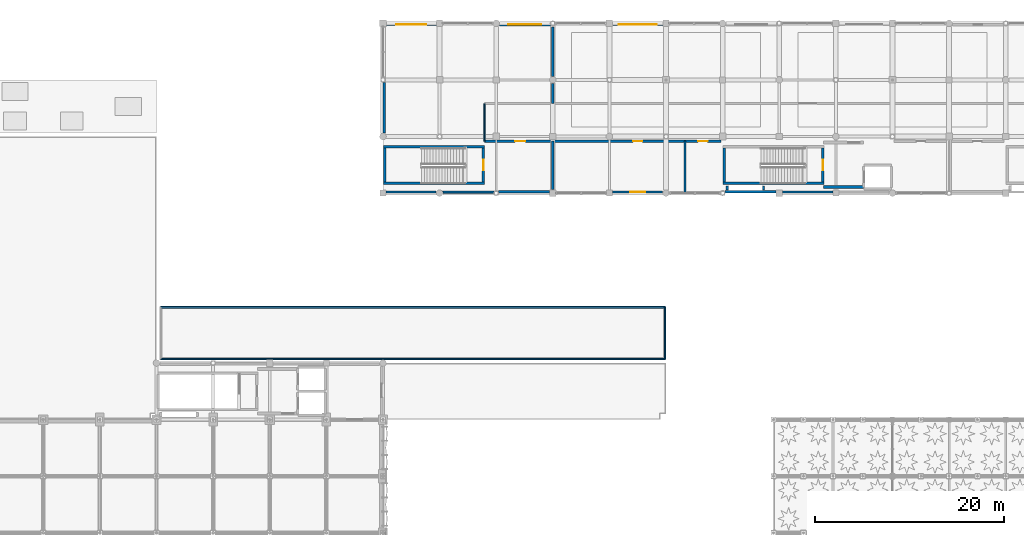
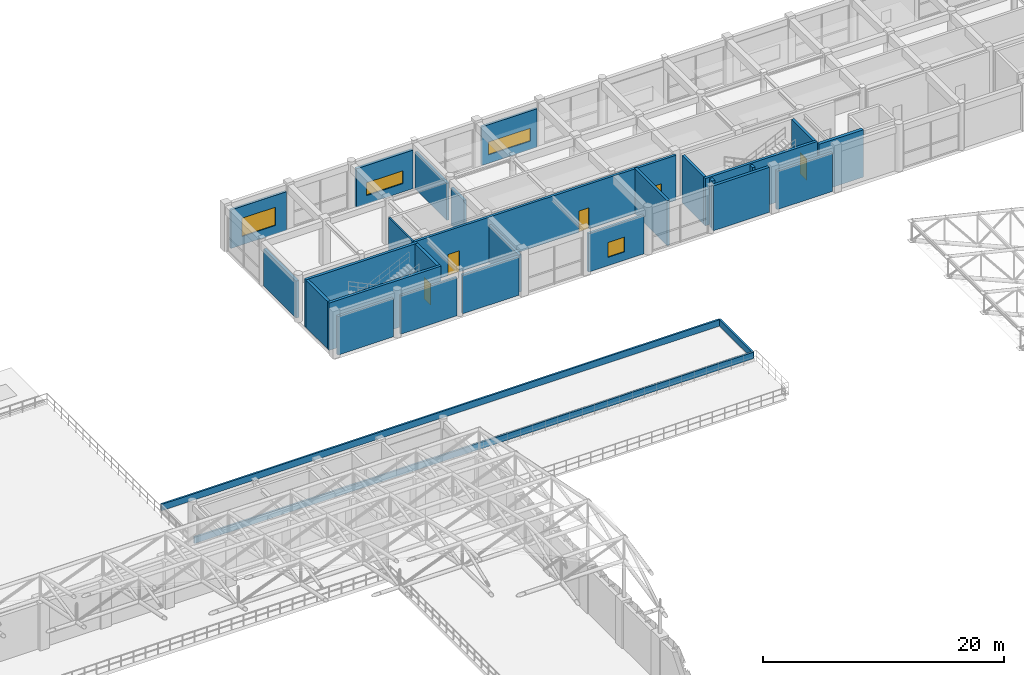
# One storey, part 94 of 112: 29 walls, 5 doors, 4 windows, 9 openings.
"""IFC4 building model written with IfcOpenShell, lengths in metres."""

from ifc_helpers import new_model, si_unit, direction, frame, frame_2d, origin, place, context, subcontext, project, spatial, rectangle, extrude, material, layer, layer_set, type_object, element, fill, save


model = new_model("IFC4")

# Units and contexts
model_context = context("Model", 3, precision=1e-05, world=origin(), true_north=direction((0.0, 1.0)))
body_context = subcontext(model_context, "Body", "Model", "MODEL_VIEW")
ifc_project = project(units=[si_unit("LENGTHUNIT", "METRE"), si_unit("AREAUNIT", "SQUARE_METRE"), si_unit("VOLUMEUNIT", "CUBIC_METRE"), si_unit("PLANEANGLEUNIT", "RADIAN"), si_unit("MASSUNIT", "GRAM", prefix="KILO"), si_unit("THERMODYNAMICTEMPERATUREUNIT", "KELVIN"), si_unit("POWERUNIT", "WATT")], contexts=[model_context])

# Site, building, storey
site_placement = place(None, origin())
site = spatial("IfcSite", under=ifc_project, at=site_placement, CompositionType="ELEMENT")
building_placement = place(site_placement, origin())
building = spatial("IfcBuilding", under=site, at=building_placement, Name="Phaisarnlok Congress Hotel", CompositionType="ELEMENT")
storey_placement = place(building_placement, frame((0.0, 0.0, 19.800048828125)))
storey = spatial("IfcBuildingStorey", under=building, at=storey_placement, Name="L04", CompositionType="ELEMENT", Elevation=19.800048828125)

# Walls
ifc_material_1 = material(Name="Concrete C40/50", Category="concrete")
ifc_layer_1 = layer(ifc_material_1, 0.2099609375, Name="Concrete C40/50")
ifc_layer_set_1 = layer_set([ifc_layer_1], Name="Concrete C40/50")
wall_type_1 = type_object("IfcWallType", Name="WL-EXT-210", PredefinedType="SOLIDWALL", material=ifc_layer_set_1)
wall_1_placement = place(storey_placement, frame((72.35498046875, 108.10498046875, 0.0), z_axis=(0.0, 0.0, 1.0), x_axis=(1.0, 0.0, 0.0)))
element("IfcWall", 1, at=wall_1_placement, inside=storey, type_object=wall_type_1, Name="Exterior wall EW-07 (L04)", PredefinedType="SOLIDWALL", context=body_context, shape_type="SweptSolid", body=[
    extrude(rectangle(XDim=5.385986328125, YDim=0.2099609375, at=frame_2d((2.69287109375, 0.0))), origin(), (0.0, 0.0, 1.0), 3.89990234375),
])
ifc_layer_2 = layer(ifc_material_1, 0.22998046875, Name="Concrete C40/50")
ifc_layer_set_2 = layer_set([ifc_layer_2], Name="Concrete C40/50")
wall_type_2 = type_object("IfcWallType", Name="WL-EXT-230", PredefinedType="SOLIDWALL", material=ifc_layer_set_2)
wall_2_placement = place(storey_placement, frame((66.330078125, 108.114990234375, 0.0), z_axis=(0.0, 0.0, 1.0), x_axis=(1.0, 0.0, 0.0)))
element("IfcWall", 2, at=wall_2_placement, inside=storey, type_object=wall_type_2, Name="Exterior wall EW-06 (L04)", PredefinedType="SOLIDWALL", context=body_context, shape_type="SweptSolid", body=[
    extrude(rectangle(XDim=5.31494140625, YDim=0.22998046875, at=frame_2d((2.657470703125, 0.0))), origin(), (0.0, 0.0, 1.0), 3.89990234375),
])

# Wall, opening, window
wall_3_placement = place(storey_placement, frame((90.330078125, 108.114990234375, 0.0), z_axis=(0.0, 0.0, 1.0), x_axis=(1.0, 0.0, 0.0)))
wall_3 = element("IfcWall", 3, at=wall_3_placement, inside=storey, type_object=wall_type_2, Name="Exterior wall EW-06 (L04)", PredefinedType="SOLIDWALL", context=body_context, shape_type="SweptSolid", body=[
    extrude(rectangle(XDim=5.31494140625, YDim=0.22998046875, at=frame_2d((2.657470703125, 0.0))), origin(), (0.0, 0.0, 1.0), 3.89990234375),
])
opening_1_placement = place(wall_3_placement, frame((1.85693359375, 0.0, 0.85009765625)))
opening_1 = element("IfcOpeningElement", 4, at=opening_1_placement, cuts=wall_3, Name="Opening W-11", PredefinedType="OPENING", context=body_context, shape_type="SweptSolid", body=[
    extrude(rectangle(XDim=1.60009765625, YDim=1.5, at=frame_2d((0.800048828125, 0.75))), frame((0.0, 0.125, 0.0), z_axis=(0.0, -1.0, 0.0), x_axis=(1.0, 0.0, 0.0)), (0.0, 0.0, 1.0), 0.25),
])
ifc_material_2 = material(Name="Thermally Broken Aluminium & Low-E Double Glazing", Category="aluminium")
window_type_1 = type_object("IfcWindowType", Name="WIN-POD-1600", PartitioningType="SINGLE_PANEL", PredefinedType="WINDOW", material=ifc_material_2)
window_1_placement = place(opening_1_placement, origin())
window_1 = element("IfcWindow", 5, at=window_1_placement, inside=storey, type_object=window_type_1, Name="Podium window W-11 (L04)", OverallHeight=1.5, OverallWidth=1.60009765625, PartitioningType="SINGLE_PANEL", PredefinedType="WINDOW", context=body_context, shape_type="SweptSolid", body=[
    extrude(rectangle(XDim=1.60009765625, YDim=1.5, at=frame_2d((0.800048828125, 0.75))), frame((0.0, 0.030029296875, 0.0), z_axis=(0.0, -1.0, 0.0), x_axis=(1.0, 0.0, 0.0)), (0.0, 0.0, 1.0), 0.06005859375),
])
fill(opening_1, window_1)

wall_4_placement = place(storey_placement, frame((95.669921875, 125.885009765625, 0.0), z_axis=(0.0, 0.0, 1.0), x_axis=(-1.0, 0.0, 0.0)))
wall_4 = element("IfcWall", 6, at=wall_4_placement, inside=storey, type_object=wall_type_2, Name="Exterior wall EW-06 (L04)", PredefinedType="SOLIDWALL", context=body_context, shape_type="SweptSolid", body=[
    extrude(rectangle(XDim=5.31494140625, YDim=0.22998046875, at=frame_2d((2.657470703125, 0.0))), origin(), (0.0, 0.0, 1.0), 3.89990234375),
])
opening_2_placement = place(wall_4_placement, frame((0.656982421875, 0.0, 0.85009765625)))
opening_2 = element("IfcOpeningElement", 7, at=opening_2_placement, cuts=wall_4, Name="Opening W-19", PredefinedType="OPENING", context=body_context, shape_type="SweptSolid", body=[
    extrude(rectangle(XDim=4.0, YDim=1.300048828125, at=frame_2d((2.0, 0.64990234375))), frame((0.0, 0.125, 0.0), z_axis=(0.0, -1.0, 0.0), x_axis=(1.0, 0.0, 0.0)), (0.0, 0.0, 1.0), 0.25),
])
window_type_2 = type_object("IfcWindowType", Name="WIN-CLER-4000", PartitioningType="SINGLE_PANEL", PredefinedType="WINDOW", material=ifc_material_2)
window_2_placement = place(opening_2_placement, origin())
window_2 = element("IfcWindow", 8, at=window_2_placement, inside=storey, type_object=window_type_2, Name="Podium window W-19 (L04)", OverallHeight=1.300048828125, OverallWidth=4.0, PartitioningType="SINGLE_PANEL", PredefinedType="WINDOW", context=body_context, shape_type="SweptSolid", body=[
    extrude(rectangle(XDim=4.0, YDim=1.300048828125, at=frame_2d((2.0, 0.64990234375))), frame((0.0, 0.030029296875, 0.0), z_axis=(0.0, -1.0, 0.0), x_axis=(1.0, 0.0, 0.0)), (0.0, 0.0, 1.0), 0.06005859375),
])
fill(opening_2, window_2)

wall_5_placement = place(storey_placement, frame((71.669921875, 125.885009765625, 0.0), z_axis=(0.0, 0.0, 1.0), x_axis=(-1.0, 0.0, 0.0)))
wall_5 = element("IfcWall", 9, at=wall_5_placement, inside=storey, type_object=wall_type_2, Name="Exterior wall EW-06 (L04)", PredefinedType="SOLIDWALL", context=body_context, shape_type="SweptSolid", body=[
    extrude(rectangle(XDim=5.31494140625, YDim=0.22998046875, at=frame_2d((2.657470703125, 0.0))), origin(), (0.0, 0.0, 1.0), 3.89990234375),
])
opening_3_placement = place(wall_5_placement, frame((1.056884765625, 0.0, 0.85009765625)))
opening_3 = element("IfcOpeningElement", 10, at=opening_3_placement, cuts=wall_5, Name="Opening W-04", PredefinedType="OPENING", context=body_context, shape_type="SweptSolid", body=[
    extrude(rectangle(XDim=3.199951171875, YDim=1.85009765625, at=frame_2d((1.60009765625, 0.925048828125))), frame((0.0, 0.125, 0.0), z_axis=(0.0, -1.0, 0.0), x_axis=(1.0, 0.0, 0.0)), (0.0, 0.0, 1.0), 0.25),
])
window_type_3 = type_object("IfcWindowType", Name="WIN-SUITE-3200", PartitioningType="SINGLE_PANEL", PredefinedType="WINDOW", material=ifc_material_2)
window_3_placement = place(opening_3_placement, origin())
window_3 = element("IfcWindow", 11, at=window_3_placement, inside=storey, type_object=window_type_3, Name="Podium window W-04 (L04)", OverallHeight=1.85009765625, OverallWidth=3.199951171875, PartitioningType="SINGLE_PANEL", PredefinedType="WINDOW", context=body_context, shape_type="SweptSolid", body=[
    extrude(rectangle(XDim=3.199951171875, YDim=1.85009765625, at=frame_2d((1.60009765625, 0.925048828125))), frame((0.0, 0.030029296875, 0.0), z_axis=(0.0, -1.0, 0.0), x_axis=(1.0, 0.0, 0.0)), (0.0, 0.0, 1.0), 0.06005859375),
])
fill(opening_3, window_3)

# Walls
ifc_layer_3 = layer(ifc_material_1, 0.25, Name="Concrete C40/50")
ifc_layer_set_3 = layer_set([ifc_layer_3], Name="Concrete C40/50")
wall_type_3 = type_object("IfcWallType", Name="WL-EXT-250", PredefinedType="SOLIDWALL", material=ifc_layer_set_3)
wall_6_placement = place(storey_placement, frame((108.35498046875, 108.125, 0.0), z_axis=(0.0, 0.0, 1.0), x_axis=(1.0, 0.0, 0.0)))
element("IfcWall", 12, at=wall_6_placement, inside=storey, type_object=wall_type_3, Name="Exterior wall EW-05 (L04)", PredefinedType="SOLIDWALL", context=body_context, shape_type="SweptSolid", body=[
    extrude(rectangle(XDim=5.31494140625, YDim=0.25, at=frame_2d((2.657470703125, 0.0))), origin(), (0.0, 0.0, 1.0), 3.89990234375),
])
ifc_layer_4 = layer(ifc_material_1, 0.27001953125, Name="Concrete C40/50")
ifc_layer_set_4 = layer_set([ifc_layer_4], Name="Concrete C40/50")
wall_type_4 = type_object("IfcWallType", Name="WL-EXT-270", PredefinedType="SOLIDWALL", material=ifc_layer_set_4)
wall_7_placement = place(storey_placement, frame((78.259033203125, 108.135009765625, 0.0), z_axis=(0.0, 0.0, 1.0), x_axis=(1.0, 0.0, 0.0)))
element("IfcWall", 13, at=wall_7_placement, inside=storey, type_object=wall_type_4, Name="Exterior wall EW-04 (L04)", PredefinedType="SOLIDWALL", context=body_context, shape_type="SweptSolid", body=[
    extrude(rectangle(XDim=5.385986328125, YDim=0.27001953125, at=frame_2d((2.69287109375, 0.0))), origin(), (0.0, 0.0, 1.0), 3.89990234375),
])
wall_8_placement = place(storey_placement, frame((102.259033203125, 108.135009765625, 0.0), z_axis=(0.0, 0.0, 1.0), x_axis=(1.0, 0.0, 0.0)))
element("IfcWall", 14, at=wall_8_placement, inside=storey, type_object=wall_type_4, Name="Exterior wall EW-04 (L04)", PredefinedType="SOLIDWALL", context=body_context, shape_type="SweptSolid", body=[
    extrude(rectangle(XDim=5.385986328125, YDim=0.27001953125, at=frame_2d((2.69287109375, 0.0))), origin(), (0.0, 0.0, 1.0), 4.550048828125),
])

# Wall, opening, window
wall_9_placement = place(storey_placement, frame((83.740966796875, 125.864990234375, 0.0), z_axis=(0.0, 0.0, 1.0), x_axis=(-1.0, 0.0, 0.0)))
wall_9 = element("IfcWall", 15, at=wall_9_placement, inside=storey, type_object=wall_type_4, Name="Exterior wall EW-04 (L04)", PredefinedType="SOLIDWALL", context=body_context, shape_type="SweptSolid", body=[
    extrude(rectangle(XDim=5.385986328125, YDim=0.27001953125, at=frame_2d((2.69287109375, 0.0))), origin(), (0.0, 0.0, 1.0), 3.89990234375),
])
opening_4_placement = place(wall_9_placement, frame((0.943115234375, 0.0, 0.85009765625)))
opening_4 = element("IfcOpeningElement", 16, at=opening_4_placement, cuts=wall_9, Name="Opening W-20", PredefinedType="OPENING", context=body_context, shape_type="SweptSolid", body=[
    extrude(rectangle(XDim=3.5, YDim=1.300048828125, at=frame_2d((1.75, 0.64990234375))), frame((0.0, 0.14501953125, 0.0), z_axis=(0.0, -1.0, 0.0), x_axis=(1.0, 0.0, 0.0)), (0.0, 0.0, 1.0), 0.2900390625),
])
window_type_4 = type_object("IfcWindowType", Name="WIN-CLER-3500", PartitioningType="SINGLE_PANEL", PredefinedType="WINDOW", material=ifc_material_2)
window_4_placement = place(opening_4_placement, origin())
window_4 = element("IfcWindow", 17, at=window_4_placement, inside=storey, type_object=window_type_4, Name="Podium window W-20 (L04)", OverallHeight=1.300048828125, OverallWidth=3.5, PartitioningType="SINGLE_PANEL", PredefinedType="WINDOW", context=body_context, shape_type="SweptSolid", body=[
    extrude(rectangle(XDim=3.5, YDim=1.300048828125, at=frame_2d((1.75, 0.64990234375))), frame((0.0, 0.030029296875, 0.0), z_axis=(0.0, -1.0, 0.0), x_axis=(1.0, 0.0, 0.0)), (0.0, 0.0, 1.0), 0.06005859375),
])
fill(opening_4, window_4)

# Walls
wall_10_placement = place(storey_placement, frame((66.135009765625, 119.740966796875, 0.0), z_axis=(0.0, 0.0, 1.0), x_axis=(0.0, -1.0, 0.0)))
element("IfcWall", 18, at=wall_10_placement, inside=storey, type_object=wall_type_4, Name="Exterior wall EW-04 (L04)", PredefinedType="SOLIDWALL", context=body_context, shape_type="SweptSolid", body=[
    extrude(rectangle(XDim=5.385986328125, YDim=0.27001953125, at=frame_2d((2.69287109375, 0.0))), origin(), (0.0, 0.0, 1.0), 3.75),
])
ifc_material_3 = material(Name="Moisture-Resistant Gypsum Partition", Category="gypsum")
ifc_layer_5 = layer(ifc_material_3, 0.135009765625, Name="Moisture-Resistant Gypsum Partition")
ifc_layer_set_5 = layer_set([ifc_layer_5], Name="Moisture-Resistant Gypsum Partition")
wall_type_5 = type_object("IfcWallType", Name="WL-INT-135", PredefinedType="PARTITIONING", material=ifc_layer_set_5)
wall_11_placement = place(storey_placement, frame((76.75, 113.5, 0.0), z_axis=(0.0, 0.0, 1.0), x_axis=(0.0, 1.0, 0.0)))
element("IfcWall", 19, at=wall_11_placement, inside=storey, type_object=wall_type_5, Name="Interior partition wall IW-06 (L04)", PredefinedType="PARTITIONING", context=body_context, shape_type="SweptSolid", body=[
    extrude(rectangle(XDim=4.0, YDim=0.135009765625, at=frame_2d((2.0, 0.0))), origin(), (0.0, 0.0, 1.0), 4.550048828125),
])
ifc_layer_6 = layer(ifc_material_1, 0.239990234375, Name="Concrete C40/50")
ifc_layer_set_6 = layer_set([ifc_layer_6], Name="Concrete C40/50")
wall_type_6 = type_object("IfcWallType", Name="WL-INT-240", PredefinedType="PARTITIONING", material=ifc_layer_set_6)
wall_12_placement = place(storey_placement, frame((84.0, 108.3701171875, 0.0), z_axis=(0.0, 0.0, 1.0), x_axis=(0.0, 1.0, 0.0)))
element("IfcWall", 20, at=wall_12_placement, inside=storey, type_object=wall_type_6, Name="Interior partition wall IW-01 (L04)", PredefinedType="PARTITIONING", context=body_context, shape_type="SweptSolid", body=[
    extrude(rectangle(XDim=5.1298828125, YDim=0.239990234375, at=frame_2d((2.56494140625, 0.0))), origin(), (0.0, 0.0, 1.0), 3.75),
])
wall_13_placement = place(storey_placement, frame((84.0, 117.5, 0.0), z_axis=(0.0, 0.0, 1.0), x_axis=(0.0, 1.0, 0.0)))
element("IfcWall", 21, at=wall_13_placement, inside=storey, type_object=wall_type_6, Name="Interior partition wall IW-01 (L04)", PredefinedType="PARTITIONING", context=body_context, shape_type="SweptSolid", body=[
    extrude(rectangle(XDim=2.14501953125, YDim=0.239990234375, at=frame_2d((1.072509765625, 0.0))), origin(), (0.0, 0.0, 1.0), 3.75),
])
wall_14_placement = place(storey_placement, frame((84.0, 120.35498046875, 0.0), z_axis=(0.0, 0.0, 1.0), x_axis=(0.0, 1.0, 0.0)))
element("IfcWall", 22, at=wall_14_placement, inside=storey, type_object=wall_type_6, Name="Interior partition wall IW-01 (L04)", PredefinedType="PARTITIONING", context=body_context, shape_type="SweptSolid", body=[
    extrude(rectangle(XDim=5.27490234375, YDim=0.239990234375, at=frame_2d((2.637451171875, 0.0))), origin(), (0.0, 0.0, 1.0), 3.75),
])
wall_15_placement = place(storey_placement, frame((98.0, 108.044921875, 0.0), z_axis=(0.0, 0.0, 1.0), x_axis=(0.0, 1.0, 0.0)))
element("IfcWall", 23, at=wall_15_placement, inside=storey, type_object=wall_type_6, Name="Interior partition wall IW-01 (L04)", PredefinedType="PARTITIONING", context=body_context, shape_type="SweptSolid", body=[
    extrude(rectangle(XDim=5.455078125, YDim=0.239990234375, at=frame_2d((2.7275390625, 0.0))), origin(), (0.0, 0.0, 1.0), 4.550048828125),
])

# Wall, openings, doors
wall_16_placement = place(storey_placement, frame((76.75, 113.5, 0.0), z_axis=(0.0, 0.0, 1.0), x_axis=(1.0, 0.0, 0.0)))
wall_16 = element("IfcWall", 24, at=wall_16_placement, inside=storey, type_object=wall_type_6, Name="Interior partition wall IW-01 (L04)", PredefinedType="PARTITIONING", context=body_context, shape_type="SweptSolid", body=[
    extrude(rectangle(XDim=25.070068359375, YDim=0.239990234375, at=frame_2d((12.53515625, 0.0))), origin(), (0.0, 0.0, 1.0), 4.550048828125),
])
opening_5_placement = place(wall_16_placement, frame((15.77001953125, 0.0, 0.0)))
opening_5 = element("IfcOpeningElement", 25, at=opening_5_placement, cuts=wall_16, Name="Opening D-0136", PredefinedType="OPENING", context=body_context, shape_type="SweptSolid", body=[
    extrude(rectangle(XDim=0.9599609375, YDim=2.14990234375, at=frame_2d((0.47998046875, 1.074951171875))), frame((0.0, 0.1298828125, 0.0), z_axis=(0.0, -1.0, 0.0), x_axis=(1.0, 0.0, 0.0)), (0.0, 0.0, 1.0), 0.260009765625),
])
opening_6_placement = place(wall_16_placement, frame((22.64990234375, 0.0, 0.0)))
opening_6 = element("IfcOpeningElement", 26, at=opening_6_placement, cuts=wall_16, Name="Opening D-0137", PredefinedType="OPENING", context=body_context, shape_type="SweptSolid", body=[
    extrude(rectangle(XDim=1.0, YDim=2.14990234375, at=frame_2d((0.5, 1.074951171875))), frame((0.0, 0.1298828125, 0.0), z_axis=(0.0, -1.0, 0.0), x_axis=(1.0, 0.0, 0.0)), (0.0, 0.0, 1.0), 0.260009765625),
])
opening_7_placement = place(wall_16_placement, frame((3.25, 0.0, 0.0)))
opening_7 = element("IfcOpeningElement", 27, at=opening_7_placement, cuts=wall_16, Name="Opening D-0139", PredefinedType="OPENING", context=body_context, shape_type="SweptSolid", body=[
    extrude(rectangle(XDim=1.10009765625, YDim=2.14990234375, at=frame_2d((0.550048828125, 1.074951171875))), frame((0.0, 0.1298828125, 0.0), z_axis=(0.0, -1.0, 0.0), x_axis=(1.0, 0.0, 0.0)), (0.0, 0.0, 1.0), 0.260009765625),
])
ifc_material_4 = material(Name="Fire-Rated Steel Frame & Timber Leaf", Category="steel")
door_type_1 = type_object("IfcDoorType", Name="DR-FD60-1100", OperationType="NOTDEFINED", PredefinedType="DOOR", material=ifc_material_4)
door_1_placement = place(opening_7_placement, origin())
door_1 = element("IfcDoor", 28, at=door_1_placement, inside=storey, type_object=door_type_1, Name="Interior door D-0139 (L04)", OperationType="SINGLE_SWING_RIGHT", OverallHeight=2.14990234375, OverallWidth=1.10009765625, PredefinedType="DOOR", context=body_context, shape_type="SweptSolid", body=[
    extrude(rectangle(XDim=1.10009765625, YDim=2.14990234375, at=frame_2d((0.550048828125, 1.074951171875))), frame((0.0, 0.02490234375, 0.0), z_axis=(0.0, -1.0, 0.0), x_axis=(1.0, 0.0, 0.0)), (0.0, 0.0, 1.0), 0.050048828125),
])
fill(opening_7, door_1)
door_type_2 = type_object("IfcDoorType", Name="DR-FD60-950", OperationType="NOTDEFINED", PredefinedType="DOOR", material=ifc_material_4)
door_2_placement = place(opening_5_placement, origin())
door_2 = element("IfcDoor", 29, at=door_2_placement, inside=storey, type_object=door_type_2, Name="Interior door D-0136 (L04)", OperationType="SINGLE_SWING_RIGHT", OverallHeight=2.14990234375, OverallWidth=0.9599609375, PredefinedType="DOOR", context=body_context, shape_type="SweptSolid", body=[
    extrude(rectangle(XDim=0.9599609375, YDim=2.14990234375, at=frame_2d((0.47998046875, 1.074951171875))), frame((0.0, 0.02490234375, 0.0), z_axis=(0.0, -1.0, 0.0), x_axis=(1.0, 0.0, 0.0)), (0.0, 0.0, 1.0), 0.050048828125),
])
fill(opening_5, door_2)
ifc_material_5 = material(Name="Solid-Core Oak Veneer", Category="wood")
door_type_3 = type_object("IfcDoorType", Name="DR-INT-1000", OperationType="NOTDEFINED", PredefinedType="DOOR", material=ifc_material_5)
door_3_placement = place(opening_6_placement, origin())
door_3 = element("IfcDoor", 30, at=door_3_placement, inside=storey, type_object=door_type_3, Name="Interior door D-0137 (L04)", OperationType="SINGLE_SWING_LEFT", OverallHeight=2.14990234375, OverallWidth=1.0, PredefinedType="DOOR", context=body_context, shape_type="SweptSolid", body=[
    extrude(rectangle(XDim=1.0, YDim=2.14990234375, at=frame_2d((0.5, 1.074951171875))), frame((0.0, 0.02490234375, 0.0), z_axis=(0.0, -1.0, 0.0), x_axis=(1.0, 0.0, 0.0)), (0.0, 0.0, 1.0), 0.050048828125),
])
fill(opening_6, door_3)

# Walls
ifc_layer_7 = layer(ifc_material_1, 0.169921875, Name="Concrete C40/50")
ifc_layer_set_7 = layer_set([ifc_layer_7], Name="Concrete C40/50")
wall_type_7 = type_object("IfcWallType", Name="WL-PAR-170", PredefinedType="PARAPET", material=ifc_layer_set_7)
wall_17_placement = place(storey_placement, frame((95.909912109375, 90.429931640625, 0.0), z_axis=(0.0, 0.0, 1.0), x_axis=(0.0, 1.0, 0.0)))
element("IfcWall", 31, at=wall_17_placement, inside=storey, type_object=wall_type_7, Name="Podium roof parapet WP-02 (L04)", PredefinedType="PARAPET", context=body_context, shape_type="SweptSolid", body=[
    extrude(rectangle(XDim=5.47998046875, YDim=0.169921875, at=frame_2d((2.739990234375, 0.0))), origin(), (0.0, 0.0, 1.0), 0.64990234375),
])
for number, where, z_axis, x_axis, name in (
    (32, (95.909912109375, 95.909912109375, 0.0), (0.0, 0.0, 1.0), (-1.0, 0.0, 0.0), "Podium roof parapet WP-02 (L04)"),
    (33, (42.429931640625, 90.429931640625, 0.0), (0.0, 0.0, 1.0), (1.0, 0.0, 0.0), "Podium roof parapet WP-02 (L04)"),
):
    element("IfcWall", number, at=place(storey_placement, frame(where, z_axis=z_axis, x_axis=x_axis)), inside=storey, type_object=wall_type_7, Name=name, PredefinedType="PARAPET", context=body_context, shape_type="SweptSolid", body=[
        extrude(rectangle(XDim=53.47998046875, YDim=0.169921875, at=frame_2d((26.739990234375, 0.0))), origin(), (0.0, 0.0, 1.0), 0.64990234375),
    ])
ifc_material_6 = material(Name="Concrete C50/60", Category="concrete")
ifc_layer_8 = layer(ifc_material_6, 0.260009765625, Name="Concrete C50/60")
ifc_layer_set_8 = layer_set([ifc_layer_8], Name="Concrete C50/60")
wall_type_8 = type_object("IfcWallType", Name="WL-SHR-260", PredefinedType="SHEAR", material=ifc_layer_set_8)
wall_18_placement = place(storey_placement, frame((102.0400390625, 109.070068359375, 0.0), z_axis=(0.0, 0.0, 1.0), x_axis=(1.0, 0.0, 0.0)))
element("IfcWall", 34, at=wall_18_placement, inside=storey, type_object=wall_type_8, Name="Stair shaft shear wall SW-04 (CORE-4 L04)", PredefinedType="SHEAR", context=body_context, shape_type="SweptSolid", body=[
    extrude(rectangle(XDim=10.719970703125, YDim=0.260009765625, at=frame_2d((5.35986328125, 0.0))), origin(), (0.0, 0.0, 1.0), 4.800048828125),
])
wall_19_placement = place(storey_placement, frame((102.169921875, 109.199951171875, 0.0), z_axis=(0.0, 0.0, 1.0), x_axis=(0.0, 1.0, 0.0)))
element("IfcWall", 35, at=wall_19_placement, inside=storey, type_object=wall_type_8, Name="Stair shaft shear wall SW-04 (CORE-4 L04)", PredefinedType="SHEAR", context=body_context, shape_type="SweptSolid", body=[
    extrude(rectangle(XDim=3.60009765625, YDim=0.260009765625, at=frame_2d((1.800048828125, 0.0))), origin(), (0.0, 0.0, 1.0), 4.800048828125),
])

# Wall, opening, door
wall_20_placement = place(storey_placement, frame((112.6298828125, 109.199951171875, 0.0), z_axis=(0.0, 0.0, 1.0), x_axis=(0.0, 1.0, 0.0)))
wall_20 = element("IfcWall", 36, at=wall_20_placement, inside=storey, type_object=wall_type_8, Name="Stair shaft shear wall SW-04 (CORE-4 L04)", PredefinedType="SHEAR", context=body_context, shape_type="SweptSolid", body=[
    extrude(rectangle(XDim=3.60009765625, YDim=0.260009765625, at=frame_2d((1.800048828125, 0.0))), origin(), (0.0, 0.0, 1.0), 4.800048828125),
])
opening_8_placement = place(wall_20_placement, frame((1.25, 0.0, 0.0)))
opening_8 = element("IfcOpeningElement", 37, at=opening_8_placement, cuts=wall_20, Name="Opening FD-096", PredefinedType="OPENING", context=body_context, shape_type="SweptSolid", body=[
    extrude(rectangle(XDim=1.10009765625, YDim=2.14990234375, at=frame_2d((0.550048828125, 1.074951171875))), frame((0.0, 0.14013671875, 0.0), z_axis=(0.0, -1.0, 0.0), x_axis=(1.0, 0.0, 0.0)), (0.0, 0.0, 1.0), 0.280029296875),
])
door_4_placement = place(opening_8_placement, origin())
door_4 = element("IfcDoor", 38, at=door_4_placement, inside=storey, type_object=door_type_1, Name="Stair enclosure fire door FD-096 (L04)", OperationType="SINGLE_SWING_LEFT", OverallHeight=2.14990234375, OverallWidth=1.10009765625, PredefinedType="DOOR", context=body_context, shape_type="SweptSolid", body=[
    extrude(rectangle(XDim=1.10009765625, YDim=2.14990234375, at=frame_2d((0.550048828125, 1.074951171875))), frame((0.0, 0.02490234375, 0.0), z_axis=(0.0, -1.0, 0.0), x_axis=(1.0, 0.0, 0.0)), (0.0, 0.0, 1.0), 0.050048828125),
])
fill(opening_8, door_4)

# Walls
for number, where, z_axis, x_axis, name in (
    (39, (102.469970703125, 108.330078125, 0.0), (0.0, 0.0, 1.0), (0.0, 1.0, 0.0), "Service riser shaft wall SW-04 (CORE-4 L04)"),
    (40, (106.330078125, 108.330078125, 0.0), (0.0, 0.0, 1.0), (0.0, 1.0, 0.0), "Service riser shaft wall SW-04 (CORE-4 L04)"),
):
    element("IfcWall", number, at=place(storey_placement, frame(where, z_axis=z_axis, x_axis=x_axis)), inside=storey, type_object=wall_type_8, Name=name, PredefinedType="SHEAR", context=body_context, shape_type="SweptSolid", body=[
        extrude(rectangle(XDim=0.43994140625, YDim=0.260009765625, at=frame_2d((0.219970703125, 0.0))), origin(), (0.0, 0.0, 1.0), 4.800048828125),
    ])
for number, where, z_axis, x_axis, name in (
    (41, (66.0400390625, 109.070068359375, 0.0), (0.0, 0.0, 1.0), (1.0, 0.0, 0.0), "Stair shaft shear wall SW-04 (STAIR-HW L04)"),
    (42, (66.0400390625, 112.929931640625, 0.0), (0.0, 0.0, 1.0), (1.0, 0.0, 0.0), "Stair shaft shear wall SW-04 (STAIR-HW L04)"),
):
    element("IfcWall", number, at=place(storey_placement, frame(where, z_axis=z_axis, x_axis=x_axis)), inside=storey, type_object=wall_type_8, Name=name, PredefinedType="SHEAR", context=body_context, shape_type="SweptSolid", body=[
        extrude(rectangle(XDim=10.719970703125, YDim=0.260009765625, at=frame_2d((5.35986328125, 0.0))), origin(), (0.0, 0.0, 1.0), 4.800048828125),
    ])

# Wall, opening, door
wall_21_placement = place(storey_placement, frame((76.6298828125, 109.199951171875, 0.0), z_axis=(0.0, 0.0, 1.0), x_axis=(0.0, 1.0, 0.0)))
wall_21 = element("IfcWall", 43, at=wall_21_placement, inside=storey, type_object=wall_type_8, Name="Stair shaft shear wall SW-04 (STAIR-HW L04)", PredefinedType="SHEAR", context=body_context, shape_type="SweptSolid", body=[
    extrude(rectangle(XDim=3.60009765625, YDim=0.260009765625, at=frame_2d((1.800048828125, 0.0))), origin(), (0.0, 0.0, 1.0), 4.800048828125),
])
opening_9_placement = place(wall_21_placement, frame((1.25, 0.0, 0.0)))
opening_9 = element("IfcOpeningElement", 44, at=opening_9_placement, cuts=wall_21, Name="Opening FD-150", PredefinedType="OPENING", context=body_context, shape_type="SweptSolid", body=[
    extrude(rectangle(XDim=1.10009765625, YDim=2.14990234375, at=frame_2d((0.550048828125, 1.074951171875))), frame((0.0, 0.14013671875, 0.0), z_axis=(0.0, -1.0, 0.0), x_axis=(1.0, 0.0, 0.0)), (0.0, 0.0, 1.0), 0.280029296875),
])
door_5_placement = place(opening_9_placement, origin())
door_5 = element("IfcDoor", 45, at=door_5_placement, inside=storey, type_object=door_type_1, Name="Stair enclosure fire door FD-150 (L04)", OperationType="SINGLE_SWING_LEFT", OverallHeight=2.14990234375, OverallWidth=1.10009765625, PredefinedType="DOOR", context=body_context, shape_type="SweptSolid", body=[
    extrude(rectangle(XDim=1.10009765625, YDim=2.14990234375, at=frame_2d((0.550048828125, 1.074951171875))), frame((0.0, 0.02490234375, 0.0), z_axis=(0.0, -1.0, 0.0), x_axis=(1.0, 0.0, 0.0)), (0.0, 0.0, 1.0), 0.050048828125),
])
fill(opening_9, door_5)

# Walls
ifc_layer_9 = layer(ifc_material_6, 0.260009765625, Name="Concrete C50/60")
ifc_layer_set_9 = layer_set([ifc_layer_9], Name="Concrete C50/60")
wall_type_9 = type_object("IfcWallType", Name="WL-SHR-260-EXT", PredefinedType="SHEAR", material=ifc_layer_set_9)
wall_22_placement = place(storey_placement, frame((66.169921875, 109.199951171875, 0.0), z_axis=(0.0, 0.0, 1.0), x_axis=(0.0, 1.0, 0.0)))
element("IfcWall", 46, at=wall_22_placement, inside=storey, type_object=wall_type_9, Name="Stair shaft shear wall SW-04E (STAIR-HW L04)", PredefinedType="SHEAR", context=body_context, shape_type="SweptSolid", body=[
    extrude(rectangle(XDim=3.60009765625, YDim=0.260009765625, at=frame_2d((1.800048828125, 0.0))), origin(), (0.0, 0.0, 1.0), 4.800048828125),
])
ifc_layer_10 = layer(ifc_material_6, 0.300048828125, Name="Concrete C50/60")
ifc_layer_set_10 = layer_set([ifc_layer_10], Name="Concrete C50/60")
wall_type_10 = type_object("IfcWallType", Name="WL-SHR-300", PredefinedType="SHEAR", material=ifc_layer_set_10)
wall_23_placement = place(storey_placement, frame((112.679931640625, 108.64990234375, 0.0), z_axis=(0.0, 0.0, 1.0), x_axis=(1.0, 0.0, 0.0)))
element("IfcWall", 47, at=wall_23_placement, inside=storey, type_object=wall_type_10, Name="Core lobby EI-120 wall SW-03 (CORE-4 L04)", PredefinedType="SHEAR", context=body_context, shape_type="SweptSolid", body=[
    extrude(rectangle(XDim=4.239990234375, YDim=0.300048828125, at=frame_2d((2.1201171875, 0.0))), origin(), (0.0, 0.0, 1.0), 4.800048828125),
])

save(model, "model.ifc")
